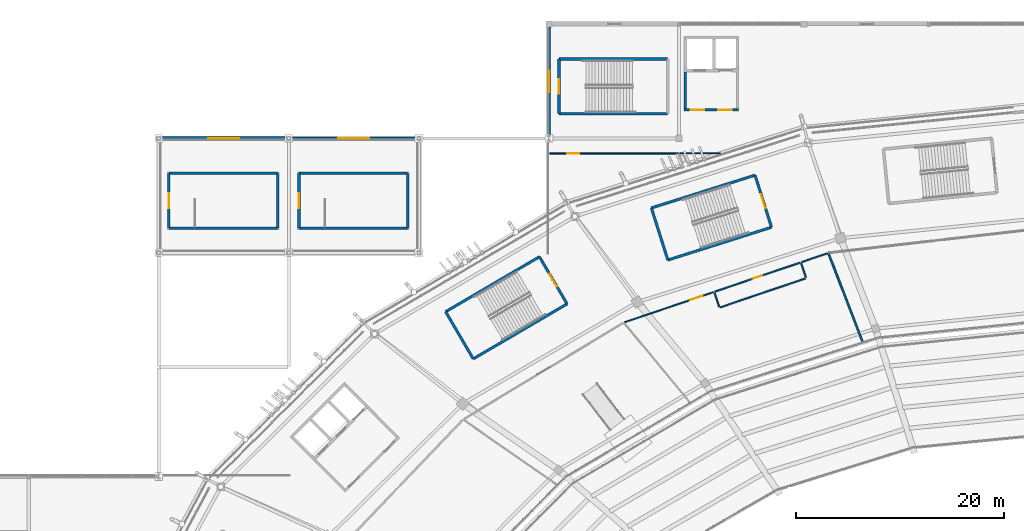
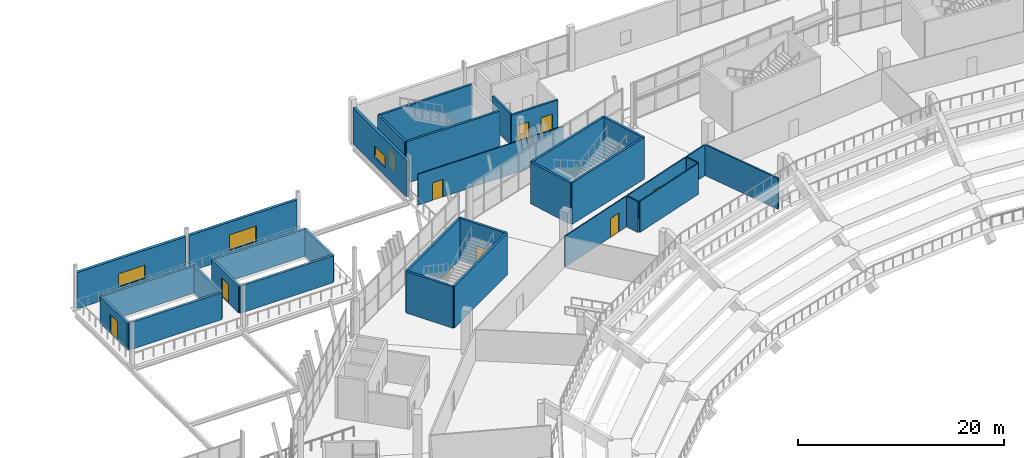
# One storey, part 130 of 178: 33 walls, 10 doors, 3 windows, 13 openings.
"""IFC4 building model written with IfcOpenShell, lengths in metres."""

from ifc_helpers import new_model, si_unit, direction, frame, frame_2d, origin, place, context, subcontext, project, spatial, rectangle, extrude, material, layer, layer_set, type_object, element, fill, save


model = new_model("IFC4")

# Units and contexts
model_context = context("Model", 3, precision=1e-05, world=origin(), true_north=direction((0.0, 1.0)))
body_context = subcontext(model_context, "Body", "Model", "MODEL_VIEW")
ifc_project = project(units=[si_unit("LENGTHUNIT", "METRE"), si_unit("AREAUNIT", "SQUARE_METRE"), si_unit("VOLUMEUNIT", "CUBIC_METRE"), si_unit("PLANEANGLEUNIT", "RADIAN"), si_unit("MASSUNIT", "GRAM", prefix="KILO")], contexts=[model_context])

# Site, building, storey
site_placement = place(None, origin())
site = spatial("IfcSite", under=ifc_project, at=site_placement, CompositionType="ELEMENT")
building_placement = place(site_placement, origin())
building = spatial("IfcBuilding", under=site, at=building_placement, Name="Zlatoyarsky Gate Stadium", CompositionType="ELEMENT")
storey_placement = place(building_placement, frame((0.0, 0.0, 5.39990234375)))
storey = spatial("IfcBuildingStorey", under=building, at=storey_placement, Name="L01", CompositionType="ELEMENT", Elevation=5.39990234375)

# Wall
ifc_material_1 = material(Name="Double-stud acoustic gypsum partition", Category="gypsum")
ifc_layer_1 = layer(ifc_material_1, 0.169921875)
ifc_layer_set_1 = layer_set([ifc_layer_1], Name="Double-stud acoustic gypsum partition")
wall_type_1 = type_object("IfcWallType", Name="ACOUSTIC BROADCAST STUDIO WALL 170", PredefinedType="PARTITIONING", material=ifc_layer_set_1)
wall_1_placement = place(storey_placement, frame((92.156982421875, 129.430908203125, 0.0), z_axis=(0.0, 0.0, 1.0), x_axis=(-0.359334404597, 0.933208864977, 0.0)))
element("IfcWall", 1, at=wall_1_placement, inside=storey, type_object=wall_type_1, Name="L01 interior partition PRT-L01-IRD-07", PredefinedType="PARTITIONING", context=body_context, shape_type="SweptSolid", body=[
    extrude(rectangle(XDim=9.069580078125, YDim=0.169921875, at=frame_2d((4.53466796875, 0.0))), origin(), (0.0, 0.0, 1.0), 3.670166015625),
])

# Wall, opening, door
ifc_material_2 = material(Name="Concrete C40/50", Category="concrete")
ifc_layer_2 = layer(ifc_material_2, 0.25)
ifc_layer_set_2 = layer_set([ifc_layer_2], Name="Concrete C40/50")
wall_type_2 = type_object("IfcWallType", Name="CONCRETE STAIR CORE SHEAR WALL 250", PredefinedType="SHEAR", material=ifc_layer_set_2)
wall_2_placement = place(storey_placement, frame((63.74658203125, 133.083984375, 0.0), z_axis=(0.0, 0.0, 1.0), x_axis=(-0.505460490551, 0.862849750821, 0.0)))
wall_2 = element("IfcWall", 2, at=wall_2_placement, inside=storey, type_object=wall_type_2, Name="ST-05 L01 stair core entrance shear wall", PredefinedType="SHEAR", context=body_context, shape_type="SweptSolid", body=[
    extrude(rectangle(XDim=5.249755859375, YDim=0.25, at=frame_2d((2.625, 0.0))), origin(), (0.0, 0.0, 1.0), 4.920166015625),
])
opening_1_placement = place(wall_2_placement, frame((1.925048828125, 0.0, 0.0)))
opening_1 = element("IfcOpeningElement", 3, at=opening_1_placement, cuts=wall_2, Name="Opening SD-ST-05-L01", PredefinedType="OPENING", context=body_context, shape_type="SweptSolid", body=[
    extrude(rectangle(XDim=1.39990234375, YDim=2.199951171875, at=frame_2d((0.699951171875, 1.10009765625))), frame((0.0, 0.135009765625, 0.0), z_axis=(0.0, -1.0, 0.0), x_axis=(1.0, 0.0, 0.0)), (0.0, 0.0, 1.0), 0.27001953125),
])
ifc_material_3 = material(Name="Powder-coated steel fire door", Category="steel")
door_type_1 = type_object("IfcDoorType", Name="STAIR CORE FIRE EXIT DOOR 1400X2200", OperationType="NOTDEFINED", PredefinedType="DOOR", material=ifc_material_3)
door_1_placement = place(opening_1_placement, frame((1.39990234375, 0.0, 0.0), z_axis=(0.0, 0.0, 1.0), x_axis=(-1.0, 0.0, 0.0)))
door_1 = element("IfcDoor", 4, at=door_1_placement, inside=storey, type_object=door_type_1, Name="ST-05 L01 stair fire door", OperationType="SINGLE_SWING_LEFT", OverallHeight=2.199951171875, OverallWidth=1.39990234375, PredefinedType="DOOR", context=body_context, shape_type="SweptSolid", body=[
    extrude(rectangle(XDim=1.39990234375, YDim=2.199951171875, at=frame_2d((0.699951171875, 1.10009765625))), frame((0.0, 0.02490234375, 0.0), z_axis=(0.0, -1.0, 0.0), x_axis=(1.0, 0.0, 0.0)), (0.0, 0.0, 1.0), 0.050048828125),
])
fill(opening_1, door_1)

# Walls
wall_3_placement = place(storey_placement, frame((61.093017578125, 137.61376953125, 0.0), z_axis=(0.0, 0.0, 1.0), x_axis=(-0.862854686184, -0.505452065513, 0.0)))
element("IfcWall", 5, at=wall_3_placement, inside=storey, type_object=wall_type_2, Name="ST-05 L01 stair core left shear wall", PredefinedType="SHEAR", context=body_context, shape_type="SweptSolid", body=[
    extrude(rectangle(XDim=10.449951171875, YDim=0.25, at=frame_2d((5.22509765625, 0.0))), origin(), (0.0, 0.0, 1.0), 4.920166015625),
])
wall_4_placement = place(storey_placement, frame((52.076171875, 132.331787109375, 0.0), z_axis=(0.0, 0.0, 1.0), x_axis=(0.505474830399, -0.862841350327, 0.0)))
element("IfcWall", 6, at=wall_4_placement, inside=storey, type_object=wall_type_2, Name="ST-05 L01 stair core far shear wall", PredefinedType="SHEAR", context=body_context, shape_type="SweptSolid", body=[
    extrude(rectangle(XDim=5.250244140625, YDim=0.25, at=frame_2d((2.625, 0.0))), origin(), (0.0, 0.0, 1.0), 4.920166015625),
])
wall_5_placement = place(storey_placement, frame((54.72998046875, 127.8017578125, 0.0), z_axis=(0.0, 0.0, 1.0), x_axis=(0.862838527648, 0.505479648657, 0.0)))
element("IfcWall", 7, at=wall_5_placement, inside=storey, type_object=wall_type_2, Name="ST-05 L01 stair core right shear wall", PredefinedType="SHEAR", context=body_context, shape_type="SweptSolid", body=[
    extrude(rectangle(XDim=10.449951171875, YDim=0.25, at=frame_2d((5.22509765625, 0.0))), origin(), (0.0, 0.0, 1.0), 4.920166015625),
])

# Wall, opening, door
wall_6_placement = place(storey_placement, frame((83.400390625, 140.4521484375, 0.0), z_axis=(0.0, 0.0, 1.0), x_axis=(-0.30152749866, 0.953457480726, 0.0)))
wall_6 = element("IfcWall", 8, at=wall_6_placement, inside=storey, type_object=wall_type_2, Name="ST-14 L01 stair core entrance shear wall", PredefinedType="SHEAR", context=body_context, shape_type="SweptSolid", body=[
    extrude(rectangle(XDim=5.25, YDim=0.25, at=frame_2d((2.625, 0.0))), origin(), (0.0, 0.0, 1.0), 4.920166015625),
])
opening_2_placement = place(wall_6_placement, frame((1.925048828125, 0.0, 0.0)))
opening_2 = element("IfcOpeningElement", 9, at=opening_2_placement, cuts=wall_6, Name="Opening SD-ST-14-L01", PredefinedType="OPENING", context=body_context, shape_type="SweptSolid", body=[
    extrude(rectangle(XDim=1.39990234375, YDim=2.199951171875, at=frame_2d((0.699951171875, 1.10009765625))), frame((0.0, 0.135009765625, 0.0), z_axis=(0.0, -1.0, 0.0), x_axis=(1.0, 0.0, 0.0)), (0.0, 0.0, 1.0), 0.27001953125),
])
door_2_placement = place(opening_2_placement, frame((1.39990234375, 0.0, 0.0), z_axis=(0.0, 0.0, 1.0), x_axis=(-1.0, 0.0, 0.0)))
door_2 = element("IfcDoor", 10, at=door_2_placement, inside=storey, type_object=door_type_1, Name="ST-14 L01 stair fire door", OperationType="SINGLE_SWING_LEFT", OverallHeight=2.199951171875, OverallWidth=1.39990234375, PredefinedType="DOOR", context=body_context, shape_type="SweptSolid", body=[
    extrude(rectangle(XDim=1.39990234375, YDim=2.199951171875, at=frame_2d((0.699951171875, 1.10009765625))), frame((0.0, 0.02490234375, 0.0), z_axis=(0.0, -1.0, 0.0), x_axis=(1.0, 0.0, 0.0)), (0.0, 0.0, 1.0), 0.050048828125),
])
fill(opening_2, door_2)

# Walls
wall_7_placement = place(storey_placement, frame((81.8173828125, 145.457763671875, 0.0), z_axis=(0.0, 0.0, 1.0), x_axis=(-0.953459710305, -0.301520448438, 0.0)))
element("IfcWall", 11, at=wall_7_placement, inside=storey, type_object=wall_type_2, Name="ST-14 L01 stair core left shear wall", PredefinedType="SHEAR", context=body_context, shape_type="SweptSolid", body=[
    extrude(rectangle(XDim=10.449951171875, YDim=0.25, at=frame_2d((5.22509765625, 0.0))), origin(), (0.0, 0.0, 1.0), 4.920166015625),
])
wall_8_placement = place(storey_placement, frame((71.853759765625, 142.306884765625, 0.0), z_axis=(0.0, 0.0, 1.0), x_axis=(0.30152749866, -0.953457480726, 0.0)))
element("IfcWall", 12, at=wall_8_placement, inside=storey, type_object=wall_type_2, Name="ST-14 L01 stair core far shear wall", PredefinedType="SHEAR", context=body_context, shape_type="SweptSolid", body=[
    extrude(rectangle(XDim=5.25, YDim=0.25, at=frame_2d((2.625, 0.0))), origin(), (0.0, 0.0, 1.0), 4.920166015625),
])
wall_9_placement = place(storey_placement, frame((73.436767578125, 137.30126953125, 0.0), z_axis=(0.0, 0.0, 1.0), x_axis=(0.953459710305, 0.301520448438, 0.0)))
element("IfcWall", 13, at=wall_9_placement, inside=storey, type_object=wall_type_2, Name="ST-14 L01 stair core right shear wall", PredefinedType="SHEAR", context=body_context, shape_type="SweptSolid", body=[
    extrude(rectangle(XDim=10.449951171875, YDim=0.25, at=frame_2d((5.22509765625, 0.0))), origin(), (0.0, 0.0, 1.0), 4.920166015625),
])

# Wall, opening, door
wall_10_placement = place(storey_placement, frame((25.47509765625, 145.625, 0.0), z_axis=(0.0, 0.0, 1.0), x_axis=(0.0, -1.0, 0.0)))
wall_10 = element("IfcWall", 14, at=wall_10_placement, inside=storey, type_object=wall_type_2, Name="ST-25 L01 stair core entrance shear wall", PredefinedType="SHEAR", context=body_context, shape_type="SweptSolid", body=[
    extrude(rectangle(XDim=5.25, YDim=0.25, at=frame_2d((2.625, 0.0))), origin(), (0.0, 0.0, 1.0), 3.2001953125),
])
opening_3_placement = place(wall_10_placement, frame((1.925048828125, 0.0, 0.0)))
opening_3 = element("IfcOpeningElement", 15, at=opening_3_placement, cuts=wall_10, Name="Opening SD-ST-25-L01", PredefinedType="OPENING", context=body_context, shape_type="SweptSolid", body=[
    extrude(rectangle(XDim=1.39990234375, YDim=2.199951171875, at=frame_2d((0.699951171875, 1.10009765625))), frame((0.0, 0.135009765625, 0.0), z_axis=(0.0, -1.0, 0.0), x_axis=(1.0, 0.0, 0.0)), (0.0, 0.0, 1.0), 0.27001953125),
])
door_3_placement = place(opening_3_placement, frame((1.39990234375, 0.0, 0.0), z_axis=(0.0, 0.0, 1.0), x_axis=(-1.0, 0.0, 0.0)))
door_3 = element("IfcDoor", 16, at=door_3_placement, inside=storey, type_object=door_type_1, Name="ST-25 L01 stair fire door", OperationType="SINGLE_SWING_LEFT", OverallHeight=2.199951171875, OverallWidth=1.39990234375, PredefinedType="DOOR", context=body_context, shape_type="SweptSolid", body=[
    extrude(rectangle(XDim=1.39990234375, YDim=2.199951171875, at=frame_2d((0.699951171875, 1.10009765625))), frame((0.0, 0.02490234375, 0.0), z_axis=(0.0, -1.0, 0.0), x_axis=(1.0, 0.0, 0.0)), (0.0, 0.0, 1.0), 0.050048828125),
])
fill(opening_3, door_3)

# Walls
wall_11_placement = place(storey_placement, frame((25.47509765625, 140.375, 0.0), z_axis=(0.0, 0.0, 1.0), x_axis=(1.0, 0.0, 0.0)))
element("IfcWall", 17, at=wall_11_placement, inside=storey, type_object=wall_type_2, Name="ST-25 L01 stair core left shear wall", PredefinedType="SHEAR", context=body_context, shape_type="SweptSolid", body=[
    extrude(rectangle(XDim=10.449951171875, YDim=0.25, at=frame_2d((5.22509765625, 0.0))), origin(), (0.0, 0.0, 1.0), 3.2001953125),
])
wall_12_placement = place(storey_placement, frame((35.925048828125, 140.375, 0.0), z_axis=(0.0, 0.0, 1.0), x_axis=(0.0, 1.0, 0.0)))
element("IfcWall", 18, at=wall_12_placement, inside=storey, type_object=wall_type_2, Name="ST-25 L01 stair core far shear wall", PredefinedType="SHEAR", context=body_context, shape_type="SweptSolid", body=[
    extrude(rectangle(XDim=5.25, YDim=0.25, at=frame_2d((2.625, 0.0))), origin(), (0.0, 0.0, 1.0), 3.2001953125),
])
wall_13_placement = place(storey_placement, frame((35.925048828125, 145.625, 0.0), z_axis=(0.0, 0.0, 1.0), x_axis=(-1.0, 0.0, 0.0)))
element("IfcWall", 19, at=wall_13_placement, inside=storey, type_object=wall_type_2, Name="ST-25 L01 stair core right shear wall", PredefinedType="SHEAR", context=body_context, shape_type="SweptSolid", body=[
    extrude(rectangle(XDim=10.449951171875, YDim=0.25, at=frame_2d((5.22509765625, 0.0))), origin(), (0.0, 0.0, 1.0), 3.2001953125),
])

# Wall, opening, door
wall_14_placement = place(storey_placement, frame((37.97509765625, 145.625, 0.0), z_axis=(0.0, 0.0, 1.0), x_axis=(0.0, -1.0, 0.0)))
wall_14 = element("IfcWall", 20, at=wall_14_placement, inside=storey, type_object=wall_type_2, Name="ST-26 L01 stair core entrance shear wall", PredefinedType="SHEAR", context=body_context, shape_type="SweptSolid", body=[
    extrude(rectangle(XDim=5.25, YDim=0.25, at=frame_2d((2.625, 0.0))), origin(), (0.0, 0.0, 1.0), 3.2001953125),
])
opening_4_placement = place(wall_14_placement, frame((1.925048828125, 0.0, 0.0)))
opening_4 = element("IfcOpeningElement", 21, at=opening_4_placement, cuts=wall_14, Name="Opening SD-ST-26-L01", PredefinedType="OPENING", context=body_context, shape_type="SweptSolid", body=[
    extrude(rectangle(XDim=1.39990234375, YDim=2.199951171875, at=frame_2d((0.699951171875, 1.10009765625))), frame((0.0, 0.135009765625, 0.0), z_axis=(0.0, -1.0, 0.0), x_axis=(1.0, 0.0, 0.0)), (0.0, 0.0, 1.0), 0.27001953125),
])
door_4_placement = place(opening_4_placement, frame((1.39990234375, 0.0, 0.0), z_axis=(0.0, 0.0, 1.0), x_axis=(-1.0, 0.0, 0.0)))
door_4 = element("IfcDoor", 22, at=door_4_placement, inside=storey, type_object=door_type_1, Name="ST-26 L01 stair fire door", OperationType="SINGLE_SWING_RIGHT", OverallHeight=2.199951171875, OverallWidth=1.39990234375, PredefinedType="DOOR", context=body_context, shape_type="SweptSolid", body=[
    extrude(rectangle(XDim=1.39990234375, YDim=2.199951171875, at=frame_2d((0.699951171875, 1.10009765625))), frame((0.0, 0.02490234375, 0.0), z_axis=(0.0, -1.0, 0.0), x_axis=(1.0, 0.0, 0.0)), (0.0, 0.0, 1.0), 0.050048828125),
])
fill(opening_4, door_4)

# Walls
wall_15_placement = place(storey_placement, frame((37.97509765625, 140.375, 0.0), z_axis=(0.0, 0.0, 1.0), x_axis=(1.0, 0.0, 0.0)))
element("IfcWall", 23, at=wall_15_placement, inside=storey, type_object=wall_type_2, Name="ST-26 L01 stair core left shear wall", PredefinedType="SHEAR", context=body_context, shape_type="SweptSolid", body=[
    extrude(rectangle(XDim=10.449951171875, YDim=0.25, at=frame_2d((5.22509765625, 0.0))), origin(), (0.0, 0.0, 1.0), 3.2001953125),
])
wall_16_placement = place(storey_placement, frame((48.425048828125, 140.375, 0.0), z_axis=(0.0, 0.0, 1.0), x_axis=(0.0, 1.0, 0.0)))
element("IfcWall", 24, at=wall_16_placement, inside=storey, type_object=wall_type_2, Name="ST-26 L01 stair core far shear wall", PredefinedType="SHEAR", context=body_context, shape_type="SweptSolid", body=[
    extrude(rectangle(XDim=5.25, YDim=0.25, at=frame_2d((2.625, 0.0))), origin(), (0.0, 0.0, 1.0), 3.2001953125),
])
wall_17_placement = place(storey_placement, frame((48.425048828125, 145.625, 0.0), z_axis=(0.0, 0.0, 1.0), x_axis=(-1.0, 0.0, 0.0)))
element("IfcWall", 25, at=wall_17_placement, inside=storey, type_object=wall_type_2, Name="ST-26 L01 stair core right shear wall", PredefinedType="SHEAR", context=body_context, shape_type="SweptSolid", body=[
    extrude(rectangle(XDim=10.449951171875, YDim=0.25, at=frame_2d((5.22509765625, 0.0))), origin(), (0.0, 0.0, 1.0), 3.2001953125),
])

# Wall, opening, door
wall_18_placement = place(storey_placement, frame((62.97509765625, 156.625, 0.0), z_axis=(0.0, 0.0, 1.0), x_axis=(0.0, -1.0, 0.0)))
wall_18 = element("IfcWall", 26, at=wall_18_placement, inside=storey, type_object=wall_type_2, Name="ST-31 L01 stair core entrance shear wall", PredefinedType="SHEAR", context=body_context, shape_type="SweptSolid", body=[
    extrude(rectangle(XDim=5.25, YDim=0.25, at=frame_2d((2.625, 0.0))), origin(), (0.0, 0.0, 1.0), 4.920166015625),
])
opening_5_placement = place(wall_18_placement, frame((1.925048828125, 0.0, 0.0)))
opening_5 = element("IfcOpeningElement", 27, at=opening_5_placement, cuts=wall_18, Name="Opening SD-ST-31-L01", PredefinedType="OPENING", context=body_context, shape_type="SweptSolid", body=[
    extrude(rectangle(XDim=1.39990234375, YDim=2.199951171875, at=frame_2d((0.699951171875, 1.10009765625))), frame((0.0, 0.135009765625, 0.0), z_axis=(0.0, -1.0, 0.0), x_axis=(1.0, 0.0, 0.0)), (0.0, 0.0, 1.0), 0.27001953125),
])
door_5_placement = place(opening_5_placement, frame((1.39990234375, 0.0, 0.0), z_axis=(0.0, 0.0, 1.0), x_axis=(-1.0, 0.0, 0.0)))
door_5 = element("IfcDoor", 28, at=door_5_placement, inside=storey, type_object=door_type_1, Name="ST-31 L01 stair fire door", OperationType="SINGLE_SWING_LEFT", OverallHeight=2.199951171875, OverallWidth=1.39990234375, PredefinedType="DOOR", context=body_context, shape_type="SweptSolid", body=[
    extrude(rectangle(XDim=1.39990234375, YDim=2.199951171875, at=frame_2d((0.699951171875, 1.10009765625))), frame((0.0, 0.02490234375, 0.0), z_axis=(0.0, -1.0, 0.0), x_axis=(1.0, 0.0, 0.0)), (0.0, 0.0, 1.0), 0.050048828125),
])
fill(opening_5, door_5)

# Walls
for number, where, z_axis, x_axis, name in (
    (29, (62.97509765625, 151.375, 0.0), (0.0, 0.0, 1.0), (1.0, 0.0, 0.0), "ST-31 L01 stair core left shear wall"),
    (30, (73.425048828125, 156.625, 0.0), (0.0, 0.0, 1.0), (-1.0, 0.0, 0.0), "ST-31 L01 stair core right shear wall"),
):
    element("IfcWall", number, at=place(storey_placement, frame(where, z_axis=z_axis, x_axis=x_axis)), inside=storey, type_object=wall_type_2, Name=name, PredefinedType="SHEAR", context=body_context, shape_type="SweptSolid", body=[
        extrude(rectangle(XDim=10.449951171875, YDim=0.25, at=frame_2d((5.22509765625, 0.0))), origin(), (0.0, 0.0, 1.0), 4.920166015625),
    ])
ifc_material_4 = material(Name="Autoclaved aerated concrete masonry EI 120", Category="masonry")
ifc_layer_3 = layer(ifc_material_4, 0.219970703125)
ifc_layer_set_3 = layer_set([ifc_layer_3], Name="Autoclaved aerated concrete masonry EI 120")
wall_type_3 = type_object("IfcWallType", Name="FIREFIGHTING LOBBY RATED WALL 220", PredefinedType="PARTITIONING", material=ifc_layer_set_3)
wall_19_placement = place(storey_placement, frame((75.110107421875, 155.3798828125, 0.0), z_axis=(0.0, 0.0, 1.0), x_axis=(0.0, -1.0, 0.0)))
element("IfcWall", 31, at=wall_19_placement, inside=storey, type_object=wall_type_3, Name="C5 L01 firefighting lobby right wall", PredefinedType="PARTITIONING", context=body_context, shape_type="SweptSolid", body=[
    extrude(rectangle(XDim=3.52978515625, YDim=0.219970703125, at=frame_2d((1.764892578125, 0.0))), origin(), (0.0, 0.0, 1.0), 3.670166015625),
])

# Wall, openings, doors
wall_20_placement = place(storey_placement, frame((80.25, 151.739990234375, 0.0), z_axis=(0.0, 0.0, 1.0), x_axis=(-1.0, 0.0, 0.0)))
wall_20 = element("IfcWall", 32, at=wall_20_placement, inside=storey, type_object=wall_type_3, Name="C5 L01 firefighting lobby front wall", PredefinedType="PARTITIONING", context=body_context, shape_type="SweptSolid", body=[
    extrude(rectangle(XDim=5.25, YDim=0.219970703125, at=frame_2d((2.625, 0.0))), origin(), (0.0, 0.0, 1.0), 3.670166015625),
])
opening_6_placement = place(wall_20_placement, frame((0.64990234375, 0.0, 0.0)))
opening_6 = element("IfcOpeningElement", 33, at=opening_6_placement, cuts=wall_20, Name="Opening FD-C5-L01-A", PredefinedType="OPENING", context=body_context, shape_type="SweptSolid", body=[
    extrude(rectangle(XDim=1.300048828125, YDim=2.199951171875, at=frame_2d((0.64990234375, 1.10009765625))), frame((0.0, 0.119873046875, 0.0), z_axis=(0.0, -1.0, 0.0), x_axis=(1.0, 0.0, 0.0)), (0.0, 0.0, 1.0), 0.239990234375),
])
opening_7_placement = place(wall_20_placement, frame((3.300048828125, 0.0, 0.0)))
opening_7 = element("IfcOpeningElement", 34, at=opening_7_placement, cuts=wall_20, Name="Opening FD-C5-L01-B", PredefinedType="OPENING", context=body_context, shape_type="SweptSolid", body=[
    extrude(rectangle(XDim=1.300048828125, YDim=2.199951171875, at=frame_2d((0.64990234375, 1.10009765625))), frame((0.0, 0.119873046875, 0.0), z_axis=(0.0, -1.0, 0.0), x_axis=(1.0, 0.0, 0.0)), (0.0, 0.0, 1.0), 0.239990234375),
])
door_type_2 = type_object("IfcDoorType", Name="FIREFIGHTING LOBBY FIRE DOOR 1300X2200", OperationType="NOTDEFINED", PredefinedType="DOOR", material=ifc_material_3)
door_6_placement = place(opening_6_placement, origin())
door_6 = element("IfcDoor", 35, at=door_6_placement, inside=storey, type_object=door_type_2, Name="C5 L01 firefighting lobby fire door FD-C5-L01-A", OperationType="SINGLE_SWING_LEFT", OverallHeight=2.199951171875, OverallWidth=1.300048828125, PredefinedType="DOOR", context=body_context, shape_type="SweptSolid", body=[
    extrude(rectangle(XDim=1.300048828125, YDim=2.199951171875, at=frame_2d((0.64990234375, 1.10009765625))), frame((0.0, 0.02490234375, 0.0), z_axis=(0.0, -1.0, 0.0), x_axis=(1.0, 0.0, 0.0)), (0.0, 0.0, 1.0), 0.050048828125),
])
fill(opening_6, door_6)
door_7_placement = place(opening_7_placement, origin())
door_7 = element("IfcDoor", 36, at=door_7_placement, inside=storey, type_object=door_type_2, Name="C5 L01 firefighting lobby fire door FD-C5-L01-B", OperationType="SINGLE_SWING_RIGHT", OverallHeight=2.199951171875, OverallWidth=1.300048828125, PredefinedType="DOOR", context=body_context, shape_type="SweptSolid", body=[
    extrude(rectangle(XDim=1.300048828125, YDim=2.199951171875, at=frame_2d((0.64990234375, 1.10009765625))), frame((0.0, 0.02490234375, 0.0), z_axis=(0.0, -1.0, 0.0), x_axis=(1.0, 0.0, 0.0)), (0.0, 0.0, 1.0), 0.050048828125),
])
fill(opening_7, door_7)

# Wall, opening, window
ifc_material_5 = material(Name="Limestone-faced insulated masonry wall", Category="masonry")
ifc_layer_4 = layer(ifc_material_5, 0.300048828125)
ifc_layer_set_4 = layer_set([ifc_layer_4], Name="Limestone-faced insulated masonry wall")
wall_type_4 = type_object("IfcWallType", Name="INSULATED PAVILION FACADE WALL 300", PredefinedType="STANDARD", material=ifc_layer_set_4)
wall_21_placement = place(storey_placement, frame((62.0, 149.221923828125, 0.0), z_axis=(0.0, 0.0, 1.0), x_axis=(0.0, 1.0, 0.0)))
wall_21 = element("IfcWall", 37, at=wall_21_placement, inside=storey, type_object=wall_type_4, Name="V2_NORTH L01 W exterior wall", PredefinedType="STANDARD", context=body_context, shape_type="SweptSolid", body=[
    extrude(rectangle(XDim=10.48095703125, YDim=0.300048828125, at=frame_2d((5.240478515625, 0.0))), origin(), (0.0, 0.0, 1.0), 4.300048828125),
])
opening_8_placement = place(wall_21_placement, frame((4.1904296875, 0.0, 0.949951171875)))
opening_8 = element("IfcOpeningElement", 38, at=opening_8_placement, cuts=wall_21, Name="Opening WN-13", PredefinedType="OPENING", context=body_context, shape_type="SweptSolid", body=[
    extrude(rectangle(XDim=2.10009765625, YDim=1.35009765625, at=frame_2d((1.050048828125, 0.675048828125))), frame((0.0, 0.159912109375, 0.0), z_axis=(0.0, -1.0, 0.0), x_axis=(1.0, 0.0, 0.0)), (0.0, 0.0, 1.0), 0.320068359375),
])
ifc_material_6 = material(Name="Triple-glazed thermally broken aluminium window", Category="aluminium")
window_type_1 = type_object("IfcWindowType", Name="TRIPLE GLAZED ALUMINIUM WINDOW 2100X1350", PartitioningType="SINGLE_PANEL", PredefinedType="WINDOW", material=ifc_material_6)
window_1_placement = place(opening_8_placement, origin())
window_1 = element("IfcWindow", 39, at=window_1_placement, inside=storey, type_object=window_type_1, Name="Exterior window WIN-L01-013", OverallHeight=1.35009765625, OverallWidth=2.10009765625, PartitioningType="SINGLE_PANEL", PredefinedType="WINDOW", context=body_context, shape_type="SweptSolid", body=[
    extrude(rectangle(XDim=2.10009765625, YDim=1.35009765625, at=frame_2d((1.050048828125, 0.675048828125))), frame((0.0, 0.030029296875, 0.0), z_axis=(0.0, -1.0, 0.0), x_axis=(1.0, 0.0, 0.0)), (0.0, 0.0, 1.0), 0.06005859375),
])
fill(opening_8, window_1)

wall_22_placement = place(storey_placement, frame((37.172119140625, 149.0, 0.0), z_axis=(0.0, 0.0, 1.0), x_axis=(1.0, 0.0, 0.0)))
wall_22 = element("IfcWall", 40, at=wall_22_placement, inside=storey, type_object=wall_type_4, Name="V6_NW L01 N exterior wall", PredefinedType="STANDARD", context=body_context, shape_type="SweptSolid", body=[
    extrude(rectangle(XDim=12.15576171875, YDim=0.300048828125, at=frame_2d((6.077880859375, 0.0))), origin(), (0.0, 0.0, 1.0), 4.300048828125),
])
opening_9_placement = place(wall_22_placement, frame((4.577880859375, 0.0, 0.949951171875)))
opening_9 = element("IfcOpeningElement", 41, at=opening_9_placement, cuts=wall_22, Name="Opening WN-27", PredefinedType="OPENING", context=body_context, shape_type="SweptSolid", body=[
    extrude(rectangle(XDim=3.0, YDim=1.85009765625, at=frame_2d((1.5, 0.925048828125))), frame((0.0, 0.159912109375, 0.0), z_axis=(0.0, -1.0, 0.0), x_axis=(1.0, 0.0, 0.0)), (0.0, 0.0, 1.0), 0.320068359375),
])
window_type_2 = type_object("IfcWindowType", Name="TRIPLE GLAZED ALUMINIUM WINDOW 3000X1850", PartitioningType="SINGLE_PANEL", PredefinedType="WINDOW", material=ifc_material_6)
window_2_placement = place(opening_9_placement, origin())
window_2 = element("IfcWindow", 42, at=window_2_placement, inside=storey, type_object=window_type_2, Name="Exterior window WIN-L01-083", OverallHeight=1.85009765625, OverallWidth=3.0, PartitioningType="SINGLE_PANEL", PredefinedType="WINDOW", context=body_context, shape_type="SweptSolid", body=[
    extrude(rectangle(XDim=3.0, YDim=1.85009765625, at=frame_2d((1.5, 0.925048828125))), frame((0.0, 0.030029296875, 0.0), z_axis=(0.0, -1.0, 0.0), x_axis=(1.0, 0.0, 0.0)), (0.0, 0.0, 1.0), 0.06005859375),
])
fill(opening_9, window_2)

# Wall, opening, door
ifc_material_7 = material(Name="Metal-stud gypsum partition", Category="gypsum")
ifc_layer_5 = layer(ifc_material_7, 0.110107421875)
ifc_layer_set_5 = layer_set([ifc_layer_5], Name="Metal-stud gypsum partition")
wall_type_5 = type_object("IfcWallType", Name="KIOSK SERVICE PARTITION 110", PredefinedType="PARTITIONING", material=ifc_layer_set_5)
wall_23_placement = place(storey_placement, frame((77.80419921875, 134.21337890625, 0.0), z_axis=(0.0, 0.0, 1.0), x_axis=(-0.946804141058, -0.321810376581, 0.0)))
wall_23 = element("IfcWall", 43, at=wall_23_placement, inside=storey, type_object=wall_type_5, Name="L01 interior partition PRT-L01-ICC-07", PredefinedType="PARTITIONING", context=body_context, shape_type="SweptSolid", body=[
    extrude(rectangle(XDim=9.00439453125, YDim=0.110107421875, at=frame_2d((4.502197265625, 0.0))), origin(), (0.0, 0.0, 1.0), 3.670166015625),
])
opening_10_placement = place(wall_23_placement, frame((1.10009765625, 0.0, 0.0)))
opening_10 = element("IfcOpeningElement", 44, at=opening_10_placement, cuts=wall_23, Name="Opening D-L01-236", PredefinedType="OPENING", context=body_context, shape_type="SweptSolid", body=[
    extrude(rectangle(XDim=1.239990234375, YDim=2.239990234375, at=frame_2d((0.6201171875, 1.1201171875))), frame((0.0, 0.06494140625, 0.0), z_axis=(0.0, -1.0, 0.0), x_axis=(1.0, 0.0, 0.0)), (0.0, 0.0, 1.0), 0.130126953125),
])
ifc_material_8 = material(Name="Solid-core oak veneer acoustic door", Category="wood")
door_type_3 = type_object("IfcDoorType", Name="ACOUSTIC INTERIOR DOOR 1240X2240", OperationType="NOTDEFINED", PredefinedType="DOOR", material=ifc_material_8)
door_8_placement = place(opening_10_placement, origin())
door_8 = element("IfcDoor", 45, at=door_8_placement, inside=storey, type_object=door_type_3, Name="L01 room door D-L01-236", OperationType="SINGLE_SWING_LEFT", OverallHeight=2.239990234375, OverallWidth=1.239990234375, PredefinedType="DOOR", context=body_context, shape_type="SweptSolid", body=[
    extrude(rectangle(XDim=1.239990234375, YDim=2.239990234375, at=frame_2d((0.6201171875, 1.1201171875))), frame((0.0, 0.02490234375, 0.0), z_axis=(0.0, -1.0, 0.0), x_axis=(1.0, 0.0, 0.0)), (0.0, 0.0, 1.0), 0.050048828125),
])
fill(opening_10, door_8)

# Walls
wall_24_placement = place(storey_placement, frame((74.5849609375, 147.550048828125, 0.0), z_axis=(0.0, 0.0, 1.0), x_axis=(1.0, 0.0, 0.0)))
element("IfcWall", 46, at=wall_24_placement, inside=storey, type_object=wall_type_5, Name="L01 interior partition PRT-L01-V2NC-SW1B", PredefinedType="PARTITIONING", context=body_context, shape_type="SweptSolid", body=[
    extrude(rectangle(XDim=3.87890625, YDim=0.110107421875, at=frame_2d((1.939453125, 0.0))), origin(), (0.0, 0.0, 1.0), 3.670166015625),
])
ifc_layer_6 = layer(ifc_material_7, 0.1201171875)
ifc_layer_set_6 = layer_set([ifc_layer_6], Name="Metal-stud gypsum partition")
wall_type_6 = type_object("IfcWallType", Name="OFFICE AND PRESS PARTITION 120", PredefinedType="PARTITIONING", material=ifc_layer_set_6)
wall_25_placement = place(storey_placement, frame((88.786865234375, 137.94677734375, 0.0), z_axis=(0.0, 0.0, 1.0), x_axis=(-0.946791416097, -0.321847812492, 0.0)))
element("IfcWall", 47, at=wall_25_placement, inside=storey, type_object=wall_type_6, Name="L01 interior partition PRT-L01-WCL-07", PredefinedType="PARTITIONING", context=body_context, shape_type="SweptSolid", body=[
    extrude(rectangle(XDim=2.6298828125, YDim=0.1201171875, at=frame_2d((1.31494140625, 0.0))), origin(), (0.0, 0.0, 1.0), 3.670166015625),
])

# Wall, opening, door
wall_26_placement = place(storey_placement, frame((62.10498046875, 147.550048828125, 0.0), z_axis=(0.0, 0.0, 1.0), x_axis=(1.0, 0.0, 0.0)))
wall_26 = element("IfcWall", 48, at=wall_26_placement, inside=storey, type_object=wall_type_6, Name="L01 interior partition PRT-L01-V2NC-SW1A", PredefinedType="PARTITIONING", context=body_context, shape_type="SweptSolid", body=[
    extrude(rectangle(XDim=12.31005859375, YDim=0.1201171875, at=frame_2d((6.155029296875, 0.0))), origin(), (0.0, 0.0, 1.0), 3.670166015625),
])
opening_11_placement = place(wall_26_placement, frame((1.64990234375, 0.0, 0.0)))
opening_11 = element("IfcOpeningElement", 49, at=opening_11_placement, cuts=wall_26, Name="Opening D-L01-275", PredefinedType="OPENING", context=body_context, shape_type="SweptSolid", body=[
    extrude(rectangle(XDim=1.159912109375, YDim=2.10009765625, at=frame_2d((0.580078125, 1.050048828125))), frame((0.0, 0.070068359375, 0.0), z_axis=(0.0, -1.0, 0.0), x_axis=(1.0, 0.0, 0.0)), (0.0, 0.0, 1.0), 0.14013671875),
])
door_type_4 = type_object("IfcDoorType", Name="ACOUSTIC INTERIOR DOOR 1160X2100", OperationType="NOTDEFINED", PredefinedType="DOOR", material=ifc_material_8)
door_9_placement = place(opening_11_placement, origin())
door_9 = element("IfcDoor", 50, at=door_9_placement, inside=storey, type_object=door_type_4, Name="L01 room door D-L01-275", OperationType="SINGLE_SWING_LEFT", OverallHeight=2.10009765625, OverallWidth=1.159912109375, PredefinedType="DOOR", context=body_context, shape_type="SweptSolid", body=[
    extrude(rectangle(XDim=1.159912109375, YDim=2.10009765625, at=frame_2d((0.580078125, 1.050048828125))), frame((0.0, 0.02490234375, 0.0), z_axis=(0.0, -1.0, 0.0), x_axis=(1.0, 0.0, 0.0)), (0.0, 0.0, 1.0), 0.050048828125),
])
fill(opening_11, door_9)

# Wall, opening, window
ifc_material_9 = material(Name="Precast concrete C40/50 architectural panel", Category="concrete")
ifc_layer_7 = layer(ifc_material_9, 0.320068359375)
ifc_layer_set_7 = layer_set([ifc_layer_7], Name="Precast concrete C40/50 architectural panel")
wall_type_7 = type_object("IfcWallType", Name="PRECAST TERRACOTTA FACADE WALL 320", PredefinedType="STANDARD", material=ifc_layer_set_7)
wall_27_placement = place(storey_placement, frame((24.672119140625, 149.0, 0.0), z_axis=(0.0, 0.0, 1.0), x_axis=(1.0, 0.0, 0.0)))
wall_27 = element("IfcWall", 51, at=wall_27_placement, inside=storey, type_object=wall_type_7, Name="V6_NW L01 N exterior wall", PredefinedType="STANDARD", context=body_context, shape_type="SweptSolid", body=[
    extrude(rectangle(XDim=12.15576171875, YDim=0.320068359375, at=frame_2d((6.077880859375, 0.0))), origin(), (0.0, 0.0, 1.0), 4.300048828125),
])
opening_12_placement = place(wall_27_placement, frame((4.577880859375, 0.0, 0.949951171875)))
opening_12 = element("IfcOpeningElement", 52, at=opening_12_placement, cuts=wall_27, Name="Opening WN-26", PredefinedType="OPENING", context=body_context, shape_type="SweptSolid", body=[
    extrude(rectangle(XDim=3.0, YDim=1.60009765625, at=frame_2d((1.5, 0.800048828125))), frame((0.0, 0.169921875, 0.0), z_axis=(0.0, -1.0, 0.0), x_axis=(1.0, 0.0, 0.0)), (0.0, 0.0, 1.0), 0.340087890625),
])
window_type_3 = type_object("IfcWindowType", Name="TRIPLE GLAZED ALUMINIUM WINDOW 3000X1600", PartitioningType="SINGLE_PANEL", PredefinedType="WINDOW", material=ifc_material_6)
window_3_placement = place(opening_12_placement, origin())
window_3 = element("IfcWindow", 53, at=window_3_placement, inside=storey, type_object=window_type_3, Name="Exterior window WIN-L01-082", OverallHeight=1.60009765625, OverallWidth=3.0, PartitioningType="SINGLE_PANEL", PredefinedType="WINDOW", context=body_context, shape_type="SweptSolid", body=[
    extrude(rectangle(XDim=3.0, YDim=1.60009765625, at=frame_2d((1.5, 0.800048828125))), frame((0.0, 0.030029296875, 0.0), z_axis=(0.0, -1.0, 0.0), x_axis=(1.0, 0.0, 0.0)), (0.0, 0.0, 1.0), 0.06005859375),
])
fill(opening_12, window_3)

# Wall, opening, door
ifc_material_10 = material(Name="Moisture-resistant tile-backed partition", Category="gypsum")
ifc_layer_8 = layer(ifc_material_10, 0.1298828125)
ifc_layer_set_8 = layer_set([ifc_layer_8], Name="Moisture-resistant tile-backed partition")
wall_type_8 = type_object("IfcWallType", Name="SANITARY WET ROOM PARTITION 130", PredefinedType="PARTITIONING", material=ifc_layer_set_8)
wall_28_placement = place(storey_placement, frame((86.135986328125, 137.045654296875, 0.0), z_axis=(0.0, 0.0, 1.0), x_axis=(-0.946799641579, -0.321823614276, 0.0)))
wall_28 = element("IfcWall", 54, at=wall_28_placement, inside=storey, type_object=wall_type_8, Name="L01 interior partition PRT-L01-WC07-F", PredefinedType="PARTITIONING", context=body_context, shape_type="SweptSolid", body=[
    extrude(rectangle(XDim=8.630126953125, YDim=0.1298828125, at=frame_2d((4.31494140625, 0.0))), origin(), (0.0, 0.0, 1.0), 3.670166015625),
])
opening_13_placement = place(wall_28_placement, frame((3.8349609375, 0.0, 0.0)))
opening_13 = element("IfcOpeningElement", 55, at=opening_13_placement, cuts=wall_28, Name="Opening D-L01-231", PredefinedType="OPENING", context=body_context, shape_type="SweptSolid", body=[
    extrude(rectangle(XDim=0.9599609375, YDim=2.239990234375, at=frame_2d((0.47998046875, 1.1201171875))), frame((0.0, 0.074951171875, 0.0), z_axis=(0.0, -1.0, 0.0), x_axis=(1.0, 0.0, 0.0)), (0.0, 0.0, 1.0), 0.14990234375),
])
door_type_5 = type_object("IfcDoorType", Name="ACOUSTIC INTERIOR DOOR 960X2240", OperationType="NOTDEFINED", PredefinedType="DOOR", material=ifc_material_8)
door_10_placement = place(opening_13_placement, origin())
door_10 = element("IfcDoor", 56, at=door_10_placement, inside=storey, type_object=door_type_5, Name="L01 room door D-L01-231", OperationType="SINGLE_SWING_RIGHT", OverallHeight=2.239990234375, OverallWidth=0.9599609375, PredefinedType="DOOR", context=body_context, shape_type="SweptSolid", body=[
    extrude(rectangle(XDim=0.9599609375, YDim=2.239990234375, at=frame_2d((0.47998046875, 1.1201171875))), frame((0.0, 0.02490234375, 0.0), z_axis=(0.0, -1.0, 0.0), x_axis=(1.0, 0.0, 0.0)), (0.0, 0.0, 1.0), 0.050048828125),
])
fill(opening_13, door_10)

# Walls
wall_29_placement = place(storey_placement, frame((86.65087890625, 135.53076171875, 0.0), z_axis=(0.0, 0.0, 1.0), x_axis=(-0.946799641579, -0.321823614276, 0.0)))
element("IfcWall", 57, at=wall_29_placement, inside=storey, type_object=wall_type_8, Name="L01 interior partition PRT-L01-WC07-B", PredefinedType="PARTITIONING", context=body_context, shape_type="SweptSolid", body=[
    extrude(rectangle(XDim=8.630126953125, YDim=0.1298828125, at=frame_2d((4.31494140625, 0.0))), origin(), (0.0, 0.0, 1.0), 3.670166015625),
])
wall_30_placement = place(storey_placement, frame((86.243896484375, 136.992431640625, 0.0), z_axis=(0.0, 0.0, 1.0), x_axis=(0.321703745836, -0.94684037721, 0.0)))
element("IfcWall", 58, at=wall_30_placement, inside=storey, type_object=wall_type_8, Name="L01 interior partition PRT-L01-WC07-L", PredefinedType="PARTITIONING", context=body_context, shape_type="SweptSolid", body=[
    extrude(rectangle(XDim=1.4296875, YDim=0.1298828125, at=frame_2d((0.71484375, 0.0))), origin(), (0.0, 0.0, 1.0), 3.670166015625),
])
wall_31_placement = place(storey_placement, frame((77.912109375, 134.160400390625, 0.0), z_axis=(0.0, 0.0, 1.0), x_axis=(0.321651741214, -0.946858044996, 0.0)))
element("IfcWall", 59, at=wall_31_placement, inside=storey, type_object=wall_type_8, Name="L01 interior partition PRT-L01-WC07-R", PredefinedType="PARTITIONING", context=body_context, shape_type="SweptSolid", body=[
    extrude(rectangle(XDim=1.429931640625, YDim=0.1298828125, at=frame_2d((0.71484375, 0.0))), origin(), (0.0, 0.0, 1.0), 3.670166015625),
])

save(model, "model.ifc")
